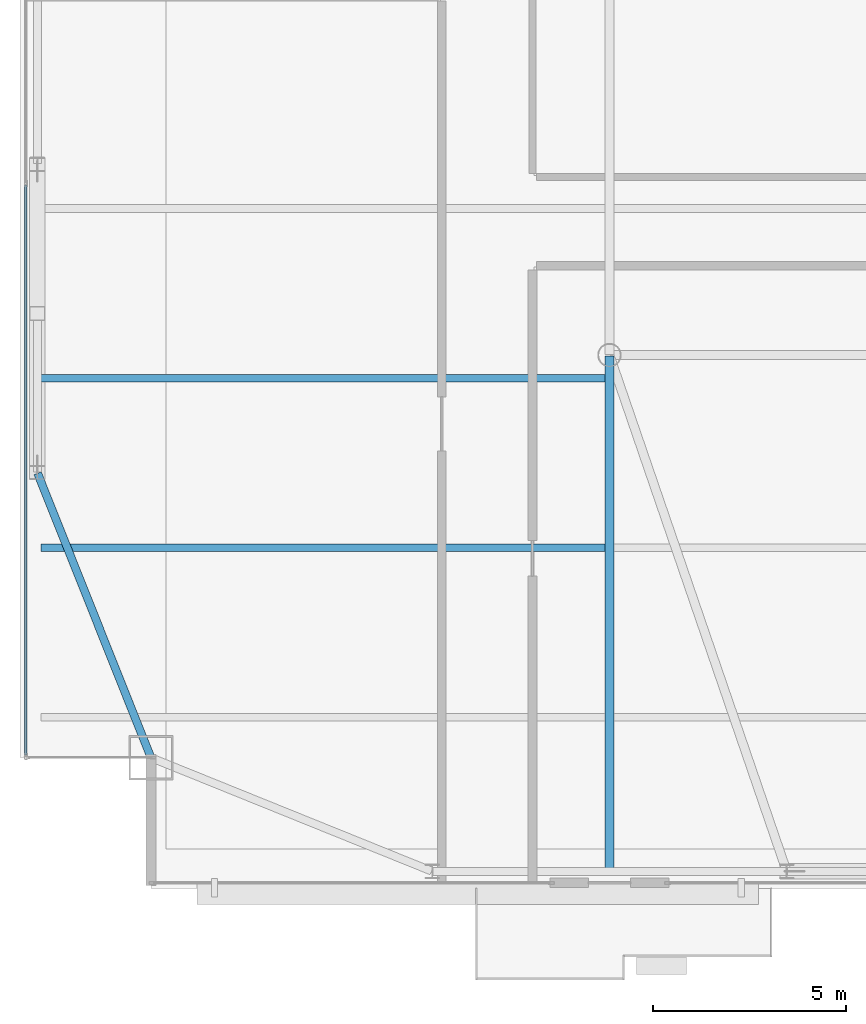
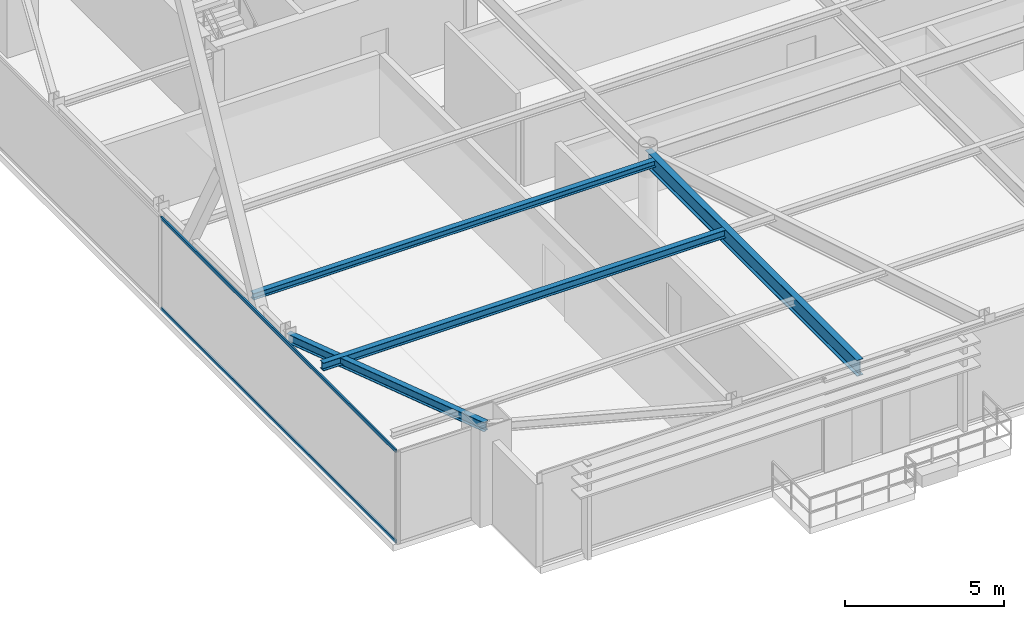
# One storey, part 7 of 31: 4 beams, 2 members, 1 element without a shape of its own.
"""IFC4 building model written with IfcOpenShell, lengths in metres."""

import ifcopenshell
import ifcopenshell.guid

model = None  # the IFC model being written
_history = None  # IfcOwnerHistory: only IFC2X3 demands one
_inside = {}  # id of a spatial element -> (the spatial element, [elements in it])
_under = {}  # id of a project, library or spatial element -> (it, [spatial elements below it])
_declared = {}  # id of a project -> (the project, [libraries it declares])
_typed = {}  # id of a type object -> (the type object, [elements of that type])
_made_of = {}  # id of a material, layer set ... -> (it, [elements and type objects made of it])


def new_model(schema):
    """Start an empty IFC model of exactly this schema.

    Asked for "IFC4X3", IfcOpenShell would pick the latest addendum, in which some entities
    have other attributes; the version numbers below select the first issue.
    IFC2X3 requires an IfcOwnerHistory on every rooted entity: one is made here for all.
    """
    global model, _history
    if schema == "IFC4X3":
        model = ifcopenshell.file(schema_version=(4, 3, 0, 0))
    else:
        model = ifcopenshell.file(schema=schema)
    _inside.clear()
    _under.clear()
    _declared.clear()
    _typed.clear()
    _made_of.clear()
    _history = None
    if model.schema == "IFC2X3":
        org = make("IfcOrganization", Name="unknown")
        user = make(
            "IfcPersonAndOrganization",
            ThePerson=make("IfcPerson", FamilyName="unknown"),
            TheOrganization=org,
        )
        app = make(
            "IfcApplication",
            ApplicationDeveloper=org,
            Version="unknown",
            ApplicationFullName="unknown",
            ApplicationIdentifier="unknown",
        )
        _history = make(
            "IfcOwnerHistory",
            OwningUser=user,
            OwningApplication=app,
            ChangeAction="ADDED",
            CreationDate=0,
        )
    return model


def make(cls, **values):
    """One entity of the class cls with the attributes given. An attribute that is None is left unset."""
    return model.create_entity(
        cls, **{name: value for name, value in values.items() if value is not None}
    )


def rooted(cls, **values):
    """An entity with a GlobalId (a new one), such as an element, a storey or a relation."""
    return make(cls, GlobalId=ifcopenshell.guid.new(), OwnerHistory=_history, **values)


def si_unit(unit_type, name, prefix=None):
    """IfcSIUnit, for example si_unit("LENGTHUNIT", "METRE", prefix="MILLI")."""
    return make("IfcSIUnit", UnitType=unit_type, Prefix=prefix, Name=name)


def assignment(units):
    """IfcUnitAssignment: the units of a project."""
    return None if units is None else make("IfcUnitAssignment", Units=units)


def point(xyz):
    """IfcCartesianPoint."""
    return None if xyz is None else make("IfcCartesianPoint", Coordinates=xyz)


def direction(xyz):
    """IfcDirection."""
    return None if xyz is None else make("IfcDirection", DirectionRatios=xyz)


def frame(location, z_axis=None, x_axis=None):
    """IfcAxis2Placement3D, a coordinate frame: its origin and axes. An axis left out is left unset."""
    return make(
        "IfcAxis2Placement3D",
        Location=point(location),
        Axis=direction(z_axis),
        RefDirection=direction(x_axis),
    )


def frame_2d(location, x_axis=None):
    """IfcAxis2Placement2D, a coordinate frame in the plane: its origin and x axis."""
    return make(
        "IfcAxis2Placement2D", Location=point(location), RefDirection=direction(x_axis)
    )


def origin():
    """The frame at (0, 0, 0) with its axes left unset."""
    return frame((0.0, 0.0, 0.0))


def origin_2d():
    """The frame at (0, 0) in the plane with its x axis left unset."""
    return frame_2d((0.0, 0.0))


def place(relative_to, where):
    """IfcLocalPlacement: puts the frame where relative to a parent placement (None: the world)."""
    return make(
        "IfcLocalPlacement", PlacementRelTo=relative_to, RelativePlacement=where
    )


def context(
    kind, dimensions, precision=None, world=None, true_north=None, identifier=None
):
    """IfcGeometricRepresentationContext, for example the 3D "Model" context."""
    return make(
        "IfcGeometricRepresentationContext",
        ContextIdentifier=identifier,
        ContextType=kind,
        CoordinateSpaceDimension=dimensions,
        Precision=precision,
        WorldCoordinateSystem=world,
        TrueNorth=true_north,
    )


def subcontext(parent, identifier, kind, view, scale=None):
    """IfcGeometricRepresentationSubContext, for example "Body" below "Model"."""
    return make(
        "IfcGeometricRepresentationSubContext",
        ContextIdentifier=identifier,
        ContextType=kind,
        ParentContext=parent,
        TargetScale=scale,
        TargetView=view,
    )


def project(units=None, contexts=None):
    """IfcProject with its units and contexts."""
    return rooted(
        "IfcProject",
        Name="project",
        RepresentationContexts=contexts,
        UnitsInContext=assignment(units),
    )


def spatial(cls, under=None, at=None, **own):
    """A site, building, storey or space (cls), placed at a placement, below another one or the project."""
    s = rooted(cls, ObjectPlacement=at, **own)
    if under is not None:
        _under.setdefault(under.id(), (under, []))[1].append(s)
    return s


def profile(cls, at=None, kind="AREA", **sizes):
    """A parametric profile (cls). Its sizes go by their IFC names, for example OverallWidth=200.0."""
    return make(cls, ProfileType=kind, Position=at, **sizes)


def hollow_rectangle(**sizes):
    """IfcRectangleHollowProfileDef."""
    return profile("IfcRectangleHollowProfileDef", **sizes)


def i_section(**sizes):
    """IfcIShapeProfileDef."""
    return profile("IfcIShapeProfileDef", **sizes)


def extrude(swept, where, along, depth):
    """IfcExtrudedAreaSolid: the profile swept, set in the frame where, extruded along a direction by depth."""
    return make(
        "IfcExtrudedAreaSolid",
        SweptArea=swept,
        Position=where,
        ExtrudedDirection=direction(along),
        Depth=depth,
    )


def shape(context_of_items, identifier, shape_type, items):
    """IfcShapeRepresentation: the items that make up one representation, for example the "Body"."""
    return make(
        "IfcShapeRepresentation",
        ContextOfItems=context_of_items,
        RepresentationIdentifier=identifier,
        RepresentationType=shape_type,
        Items=items,
    )


def source(mapping_origin, context_of_items, identifier, shape_type, items):
    """IfcRepresentationMap: a shape defined once, which mapped items show again and again."""
    return make(
        "IfcRepresentationMap",
        MappingOrigin=mapping_origin,
        MappedRepresentation=shape(context_of_items, identifier, shape_type, items),
    )


def transform(
    local_origin,
    x_axis=None,
    y_axis=None,
    z_axis=None,
    scale=None,
    scale2=None,
    scale3=None,
    uniform=True,
):
    """IfcCartesianTransformationOperator3D, or its non-uniform kind. x_axis, y_axis, z_axis: its Axis1, 2, 3."""
    if uniform:
        return make(
            "IfcCartesianTransformationOperator3D",
            Axis1=direction(x_axis),
            Axis2=direction(y_axis),
            LocalOrigin=point(local_origin),
            Scale=scale,
            Axis3=direction(z_axis),
        )
    return make(
        "IfcCartesianTransformationOperator3DnonUniform",
        Axis1=direction(x_axis),
        Axis2=direction(y_axis),
        LocalOrigin=point(local_origin),
        Scale=scale,
        Axis3=direction(z_axis),
        Scale2=scale2,
        Scale3=scale3,
    )


def mapped(mapping_source, mapping_target):
    """IfcMappedItem: shows the shape of a source again, moved by a transform."""
    return make(
        "IfcMappedItem", MappingSource=mapping_source, MappingTarget=mapping_target
    )


def material(Name=None, Category=None):
    """IfcMaterial."""
    return make("IfcMaterial", Name=Name, Category=Category)


def layer(
    of_material, thickness, ventilated=None, Name=None, Category=None, Priority=None
):
    """IfcMaterialLayer: one layer of a wall or slab, of a material (None: an air gap)."""
    return make(
        "IfcMaterialLayer",
        Material=of_material,
        LayerThickness=thickness,
        IsVentilated=ventilated,
        Name=Name,
        Category=Category,
        Priority=Priority,
    )


def layer_set(layers, Name=None):
    """IfcMaterialLayerSet."""
    return make("IfcMaterialLayerSet", MaterialLayers=layers, LayerSetName=Name)


def material_profile(
    of_material, cross_section, Name=None, Category=None, Priority=None
):
    """IfcMaterialProfile: a cross section and its material."""
    return make(
        "IfcMaterialProfile",
        Name=Name,
        Material=of_material,
        Profile=cross_section,
        Priority=Priority,
        Category=Category,
    )


def profile_set(profiles, Name=None, composite=None):
    """IfcMaterialProfileSet."""
    return make(
        "IfcMaterialProfileSet",
        Name=Name,
        MaterialProfiles=profiles,
        CompositeProfile=composite,
    )


def made_of(thing, what):
    """Note that an element or type object is made of a material, layer set ...; save() writes the relation."""
    if what is not None:
        _made_of.setdefault(what.id(), (what, []))[1].append(thing)
    return thing


def type_object(cls, material=None, **own):
    """A type object (cls), such as IfcWallType, which elements share."""
    return made_of(rooted(cls, **own), material)


def type_shapes(of_type, sources):
    """Give a type object the sources (RepresentationMaps) that its elements show as mapped items."""
    of_type.RepresentationMaps = sources


def element(
    cls,
    number,
    at=None,
    inside=None,
    cuts=None,
    type_object=None,
    material=None,
    context=None,
    identifier="Body",
    shape_type=None,
    held_by="IfcProductDefinitionShape",
    body=None,
    shapes=None,
    **own,
):
    """One element of the class cls, such as IfcWall. Its Tag is "e" and its number.

    at: its placement. inside: the storey or other place that contains it. cuts: it is an
    opening in that element (IfcRelVoidsElement). A single representation is given by context,
    identifier, shape_type and body (its items); several are given by shapes. held_by: the class
    of the entity that holds the representations. save() writes the other relations.
    """
    e = rooted(cls, Tag="e%d" % number, ObjectPlacement=at, **own)
    if body is not None:
        shapes = [shape(context, identifier, shape_type, body)]
    if shapes is not None:
        e.Representation = make(held_by, Representations=shapes)
    if inside is not None:
        _inside.setdefault(inside.id(), (inside, []))[1].append(e)
    if cuts is not None:
        rooted(
            "IfcRelVoidsElement", RelatingBuildingElement=cuts, RelatedOpeningElement=e
        )
    if type_object is not None:
        _typed.setdefault(type_object.id(), (type_object, []))[1].append(e)
    return made_of(e, material)


def aggregate(whole, parts):
    """IfcRelAggregates: a whole, such as a stair, and the parts it consists of."""
    return rooted("IfcRelAggregates", RelatingObject=whole, RelatedObjects=parts)


def save(model, path):
    """Write the relations noted so far, then the file.

    IfcRelAggregates (storeys below a building ...), IfcRelContainedInSpatialStructure (elements
    in a storey), IfcRelDefinesByType, IfcRelAssociatesMaterial and IfcRelDeclares: one each for
    every whole, place, type object, material and project.
    """
    for whole, parts in _under.values():
        aggregate(whole, parts)
    for where, things in _inside.values():
        rooted(
            "IfcRelContainedInSpatialStructure",
            RelatedElements=things,
            RelatingStructure=where,
        )
    for kind, things in _typed.values():
        rooted("IfcRelDefinesByType", RelatedObjects=things, RelatingType=kind)
    for what, things in _made_of.values():
        rooted("IfcRelAssociatesMaterial", RelatedObjects=things, RelatingMaterial=what)
    for by, libraries in _declared.values():
        rooted("IfcRelDeclares", RelatingContext=by, RelatedDefinitions=libraries)
    model.write(path)


model = new_model("IFC4")

# Units and contexts
model_context = context("Model", 3, precision=1e-05, world=origin(), true_north=direction((0.0, 1.0)))
body_context = subcontext(model_context, "Body", "Model", "MODEL_VIEW")
ifc_project = project(units=[si_unit("LENGTHUNIT", "METRE"), si_unit("AREAUNIT", "SQUARE_METRE"), si_unit("VOLUMEUNIT", "CUBIC_METRE"), si_unit("PLANEANGLEUNIT", "RADIAN"), si_unit("MASSUNIT", "GRAM", prefix="KILO")], contexts=[model_context])

# Site, building, storey
site_placement = place(None, origin())
site = spatial("IfcSite", under=ifc_project, at=site_placement, CompositionType="ELEMENT")
building_placement = place(site_placement, origin())
building = spatial("IfcBuilding", under=site, at=building_placement, Name="Varnel Quay Broadcast Tower", CompositionType="ELEMENT")
storey_placement = place(building_placement, frame((0.0, 0.0, 239.39990234375)))
storey = spatial("IfcBuildingStorey", under=building, at=storey_placement, Name="L59", CompositionType="ELEMENT", Elevation=239.39990234375)

# Beams
ifc_material_1 = material(Name="Structural Steel CSA G40.21 350W", Category="steel")
ifc_material_profile_1 = material_profile(ifc_material_1, i_section(OverallWidth=0.205078125, OverallDepth=0.35400390625, WebThickness=0.009521484375, FlangeThickness=0.016845703125, FilletRadius=0.012939453125, at=origin_2d()), Name="W360X79")
ifc_profile_set_1 = profile_set([ifc_material_profile_1], Name="Structural Steel CSA G40.21 350W")
beam_type_1 = type_object("IfcBeamType", Name="Beam_W360X79", PredefinedType="SPANDREL", material=ifc_profile_set_1)
shared_shape_1 = source(origin(), body_context, "Body", "SweptSolid", [
    extrude(i_section(OverallWidth=0.205078125, OverallDepth=0.35400390625, WebThickness=0.009521484375, FlangeThickness=0.016845703125, FilletRadius=0.012939453125, at=origin_2d()), origin(), (0.0, 0.0, 1.0), 7.92626953125),
])
type_shapes(beam_type_1, [shared_shape_1])
beam_1_placement = place(storey_placement, frame((12.892578125, 13.61865234375, 3.373046875), z_axis=(-0.370296431883, 0.928913641053, 0.0), x_axis=(-0.928913641053, -0.370296431883, 0.0)))
element("IfcBeam", 1, at=beam_1_placement, inside=storey, type_object=beam_type_1, Name="L59 West Spandrel MC-SW-TC-W1", PredefinedType="SPANDREL", context=body_context, shape_type="MappedRepresentation", body=[
    mapped(shared_shape_1, transform((0.0, 0.0, 0.0), x_axis=(1.0, 0.0, 0.0), y_axis=(0.0, 1.0, 0.0), z_axis=(0.0, 0.0, 1.0), scale=1.0)),
])
ifc_material_profile_2 = material_profile(ifc_material_1, i_section(OverallWidth=0.22998046875, OverallDepth=0.616943359375, WebThickness=0.01318359375, FlangeThickness=0.022216796875, FilletRadius=0.01611328125, at=origin_2d()), Name="W610X140")
ifc_profile_set_2 = profile_set([ifc_material_profile_2], Name="Structural Steel CSA G40.21 350W")
beam_type_2 = type_object("IfcBeamType", Name="Girder_W610X140", PredefinedType="BEAM", material=ifc_profile_set_2)
shared_shape_2 = source(origin(), body_context, "Body", "SweptSolid", [
    extrude(i_section(OverallWidth=0.22998046875, OverallDepth=0.616943359375, WebThickness=0.01318359375, FlangeThickness=0.022216796875, FilletRadius=0.01611328125, at=origin_2d()), origin(), (0.0, 0.0, 1.0), 13.360107421875),
])
type_shapes(beam_type_2, [shared_shape_2])
beam_2_placement = place(storey_placement, frame((24.800048828125, 10.669921875, 3.24169921875), z_axis=(0.0, 1.0, 0.0), x_axis=(-1.0, 0.0, 0.0)))
element("IfcBeam", 2, at=beam_2_placement, inside=storey, type_object=beam_type_2, Name="L59 N-S Joist Header IC-01S", PredefinedType="BEAM", context=body_context, shape_type="MappedRepresentation", body=[
    mapped(shared_shape_2, transform((0.0, 0.0, 0.0), x_axis=(1.0, 0.0, 0.0), y_axis=(0.0, 1.0, 0.0), z_axis=(0.0, 0.0, 1.0), scale=1.0)),
])
ifc_material_profile_3 = material_profile(ifc_material_1, i_section(OverallWidth=0.201904296875, OverallDepth=0.2470703125, WebThickness=0.00732421875, FlangeThickness=0.010986328125, FilletRadius=0.010986328125, at=origin_2d()), Name="W250X49")
ifc_profile_set_3 = profile_set([ifc_material_profile_3], Name="Structural Steel CSA G40.21 350W")
beam_type_3 = type_object("IfcBeamType", Name="Beam_W250X49", PredefinedType="JOIST", material=ifc_profile_set_3)
shared_shape_3 = source(origin(), body_context, "Body", "SweptSolid", [
    extrude(i_section(OverallWidth=0.201904296875, OverallDepth=0.2470703125, WebThickness=0.00732421875, FlangeThickness=0.010986328125, FilletRadius=0.010986328125, at=origin_2d()), origin(), (0.0, 0.0, 1.0), 14.642333984375),
])
type_shapes(beam_type_3, [shared_shape_3])
beam_3_placement = place(storey_placement, frame((10.047607421875, 23.449951171875, 3.426513671875), z_axis=(1.0, 0.0, 0.0), x_axis=(0.0, 1.0, 0.0)))
element("IfcBeam", 3, at=beam_3_placement, inside=storey, type_object=beam_type_3, Name="L59 West Floor Joist 3", PredefinedType="JOIST", context=body_context, shape_type="MappedRepresentation", body=[
    mapped(shared_shape_3, transform((0.0, 0.0, 0.0), x_axis=(1.0, 0.0, 0.0), y_axis=(0.0, 1.0, 0.0), z_axis=(0.0, 0.0, 1.0), scale=1.0)),
])
ifc_material_profile_4 = material_profile(ifc_material_1, i_section(OverallWidth=0.202880859375, OverallDepth=0.302978515625, WebThickness=0.007568359375, FlangeThickness=0.01318359375, FilletRadius=0.011962890625, at=origin_2d()), Name="W310X60")
ifc_profile_set_4 = profile_set([ifc_material_profile_4], Name="Structural Steel CSA G40.21 350W")
beam_type_4 = type_object("IfcBeamType", Name="Beam_W310X60", PredefinedType="JOIST", material=ifc_profile_set_4)
shared_shape_4 = source(origin(), body_context, "Body", "SweptSolid", [
    extrude(i_section(OverallWidth=0.202880859375, OverallDepth=0.302978515625, WebThickness=0.007568359375, FlangeThickness=0.01318359375, FilletRadius=0.011962890625, at=origin_2d()), origin(), (0.0, 0.0, 1.0), 14.642333984375),
])
type_shapes(beam_type_4, [shared_shape_4])
beam_4_placement = place(storey_placement, frame((10.047607421875, 19.050048828125, 3.398681640625), z_axis=(1.0, 0.0, 0.0), x_axis=(0.0, 1.0, 0.0)))
element("IfcBeam", 4, at=beam_4_placement, inside=storey, type_object=beam_type_4, Name="L59 West Floor Joist 2", PredefinedType="JOIST", context=body_context, shape_type="MappedRepresentation", body=[
    mapped(shared_shape_4, transform((0.0, 0.0, 0.0), x_axis=(1.0, 0.0, 0.0), y_axis=(0.0, 1.0, 0.0), z_axis=(0.0, 0.0, 1.0), scale=1.0)),
])

# Curtain wall, members
ifc_material_2 = material(Name="Anodised Bronze Aluminium 6063-T6", Category="aluminium")
ifc_layer = layer(ifc_material_2, 0.18994140625, Name="Anodised Bronze Aluminium 6063-T6")
ifc_layer_set = layer_set([ifc_layer], Name="Anodised Bronze Aluminium 6063-T6")
curtain_wall_type = type_object("IfcCurtainWallType", Name="CW_UpperTower", PredefinedType="NOTDEFINED", material=ifc_layer_set)
curtain_wall_placement = place(storey_placement, origin())
curtain_wall = element("IfcCurtainWall", 5, at=curtain_wall_placement, inside=storey, type_object=curtain_wall_type, Name="L59 West Unitised Curtain Wall", PredefinedType="NOTDEFINED")
ifc_material_profile_5 = material_profile(ifc_material_2, hollow_rectangle(XDim=0.06005859375, YDim=0.125, WallThickness=0.0029296875, at=origin_2d()), Name="ALU60X125X3")
ifc_profile_set_5 = profile_set([ifc_material_profile_5], Name="Anodised Bronze Aluminium 6063-T6")
member_type = type_object("IfcMemberType", Name="Tran_CWS-03", PredefinedType="USERDEFINED", material=ifc_profile_set_5)
shared_shape_5 = source(origin(), body_context, "Body", "SweptSolid", [
    extrude(hollow_rectangle(XDim=0.06005859375, YDim=0.125, WallThickness=0.0029296875, at=origin_2d()), origin(), (0.0, 0.0, 1.0), 14.802490234375),
])
type_shapes(member_type, [shared_shape_5])
member_1_placement = place(storey_placement, frame((9.64990234375, 13.6650390625, 0.030029296875), z_axis=(0.0, 1.0, 0.0), x_axis=(-1.0, 0.0, 0.0)))
member_1 = element("IfcMember", 6, at=member_1_placement, type_object=member_type, Name="CWS-03 transom 1.1", ObjectType="TRANSOM", PredefinedType="USERDEFINED", context=body_context, shape_type="MappedRepresentation", body=[
    mapped(shared_shape_5, transform((0.0, 0.0, 0.0), x_axis=(1.0, 0.0, 0.0), y_axis=(0.0, 1.0, 0.0), z_axis=(0.0, 0.0, 1.0), scale=1.0)),
])
member_2_placement = place(storey_placement, frame((9.64990234375, 13.6650390625, 3.52001953125), z_axis=(0.0, 1.0, 0.0), x_axis=(-1.0, 0.0, 0.0)))
member_2 = element("IfcMember", 7, at=member_2_placement, type_object=member_type, Name="CWS-03 transom 1.2", ObjectType="TRANSOM", PredefinedType="USERDEFINED", context=body_context, shape_type="MappedRepresentation", body=[
    mapped(shared_shape_5, transform((0.0, 0.0, 0.0), x_axis=(1.0, 0.0, 0.0), y_axis=(0.0, 1.0, 0.0), z_axis=(0.0, 0.0, 1.0), scale=1.0)),
])
aggregate(curtain_wall, [member_1, member_2])

save(model, "model.ifc")
